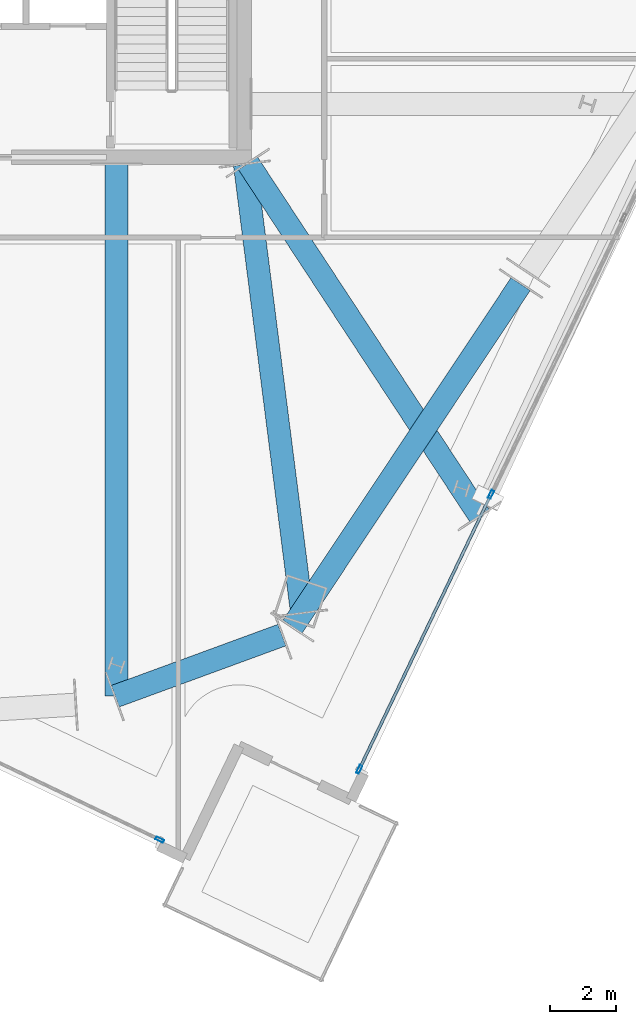
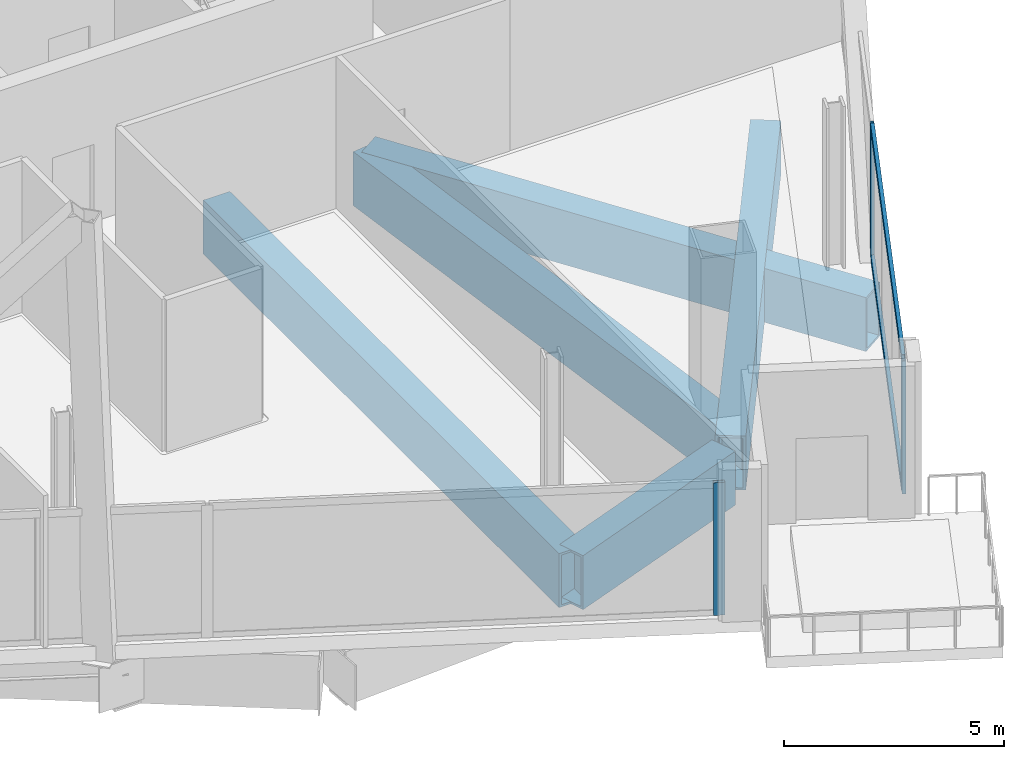
# One storey, part 6 of 24: 5 beams, 5 members, 2 elements without a shape of their own.
"""IFC4 building model written with IfcOpenShell, lengths in metres."""

from ifc_helpers import new_model, si_unit, direction, frame, origin, origin_2d, place, context, subcontext, project, spatial, hollow_rectangle, extrude, material, material_profile, profile_set, type_object, element, aggregate, save


model = new_model("IFC4")

# Units and contexts
model_context = context("Model", 3, precision=1e-05, world=origin(), true_north=direction((0.0, 1.0)))
body_context = subcontext(model_context, "Body", "Model", "MODEL_VIEW")
ifc_project = project(units=[si_unit("LENGTHUNIT", "METRE"), si_unit("AREAUNIT", "SQUARE_METRE"), si_unit("VOLUMEUNIT", "CUBIC_METRE"), si_unit("PLANEANGLEUNIT", "RADIAN"), si_unit("MASSUNIT", "GRAM", prefix="KILO")], contexts=[model_context])

# Site, building, storey
site_placement = place(None, origin())
site = spatial("IfcSite", under=ifc_project, at=site_placement, CompositionType="ELEMENT")
building_placement = place(site_placement, origin())
building = spatial("IfcBuilding", under=site, at=building_placement, Name="Haldenkirk Collegiate Tower", CompositionType="ELEMENT")
storey_placement = place(building_placement, frame((0.0, 0.0, 244.199951171875)))
storey = spatial("IfcBuildingStorey", under=building, at=storey_placement, Name="L61", CompositionType="ELEMENT", Elevation=244.199951171875)

# Beams
ifc_material_1 = material(Name="Steel ASTM A572 Grade 50", Category="steel")
ifc_material_profile_1 = material_profile(ifc_material_1, hollow_rectangle(XDim=0.699951171875, YDim=1.5, WallThickness=0.06005859375, at=origin_2d()), Name="BOX1500X700X60")
ifc_profile_set_1 = profile_set([ifc_material_profile_1], Name="Steel ASTM A572 Grade 50")
beam_type = type_object("IfcBeamType", Name="BM-TRANSFER-BOX1500X700X60", PredefinedType="BEAM", material=ifc_profile_set_1)
beam_1_placement = place(storey_placement, frame((41.07421875, 1.5498046875, -1.14990234375), z_axis=(0.938836975249, 0.344361922843, 0.0), x_axis=(-0.344361922843, 0.938836975249, 0.0)))
element("IfcBeam", 1, at=beam_1_placement, inside=storey, type_object=beam_type, Name="L61 sky-lobby perimeter transfer girder 01", PredefinedType="BEAM", context=body_context, shape_type="SweptSolid", body=[
    extrude(hollow_rectangle(XDim=0.699951171875, YDim=1.5, WallThickness=0.06005859375, at=origin_2d()), origin(), (0.0, 0.0, 1.0), 5.41650390625),
])
beam_2_placement = place(storey_placement, frame((46.4833984375, 3.67041015625, -1.14990234375), z_axis=(0.554112521622, 0.832441777773, 0.0), x_axis=(-0.832441777773, 0.554112521622, 0.0)))
element("IfcBeam", 2, at=beam_2_placement, inside=storey, type_object=beam_type, Name="L61 sky-lobby perimeter transfer girder 02", PredefinedType="BEAM", context=body_context, shape_type="SweptSolid", body=[
    extrude(hollow_rectangle(XDim=0.699951171875, YDim=1.5, WallThickness=0.06005859375, at=origin_2d()), origin(), (0.0, 0.0, 1.0), 12.561767578125),
])
beam_3_placement = place(storey_placement, frame((46.771484375, 4.103515625, -1.14990234375), z_axis=(-0.126457169798, 0.991972068259, 0.0), x_axis=(-0.991972068259, -0.126457169798, 0.0)))
element("IfcBeam", 3, at=beam_3_placement, inside=storey, type_object=beam_type, Name="L61 sky-lobby radial transfer girder 01", PredefinedType="BEAM", context=body_context, shape_type="SweptSolid", body=[
    extrude(hollow_rectangle(XDim=0.699951171875, YDim=1.5, WallThickness=0.06005859375, at=origin_2d()), origin(), (0.0, 0.0, 1.0), 13.77880859375),
])
beam_4_placement = place(storey_placement, frame((52.18603515625, 7.06201171875, -1.14990234375), z_axis=(-0.549083158408, 0.835767722009, 0.0), x_axis=(-0.835767722009, -0.549083158408, 0.0)))
element("IfcBeam", 4, at=beam_4_placement, inside=storey, type_object=beam_type, Name="L61 sky-lobby radial transfer girder 05", PredefinedType="BEAM", context=body_context, shape_type="SweptSolid", body=[
    extrude(hollow_rectangle(XDim=0.699951171875, YDim=1.5, WallThickness=0.06005859375, at=origin_2d()), origin(), (0.0, 0.0, 1.0), 12.857421875),
])
beam_5_placement = place(storey_placement, frame((41.111083984375, 1.563232421875, -1.14990234375), z_axis=(0.0, 1.0, 0.0), x_axis=(-1.0, 0.0, 0.0)))
element("IfcBeam", 5, at=beam_5_placement, inside=storey, type_object=beam_type, Name="L61 sky-lobby radial transfer girder 16", PredefinedType="BEAM", context=body_context, shape_type="SweptSolid", body=[
    extrude(hollow_rectangle(XDim=0.699951171875, YDim=1.5, WallThickness=0.06005859375, at=origin_2d()), origin(), (0.0, 0.0, 1.0), 16.206787109375),
])

# Curtain wall, members
ifc_material_2 = material(Name="Anodised architectural bronze aluminium", Category="aluminium")
curtain_wall_type = type_object("IfcCurtainWallType", Name="CW-SYS4-SKYGARDEN", PredefinedType="USERDEFINED", material=ifc_material_2)
curtain_wall_1_placement = place(storey_placement, origin())
curtain_wall_1 = element("IfcCurtainWall", 6, at=curtain_wall_1_placement, inside=storey, type_object=curtain_wall_type, Name="L61 Sky-garden tall bronze curtain wall", ObjectType="UNITISED CURTAIN WALL", PredefinedType="USERDEFINED")
ifc_material_profile_2 = material_profile(ifc_material_2, hollow_rectangle(XDim=0.090087890625, YDim=0.260009765625, WallThickness=0.0048828125, at=origin_2d()), Name="CW-MUL-04")
ifc_profile_set_2 = profile_set([ifc_material_profile_2], Name="Anodised architectural bronze aluminium")
member_type_1 = type_object("IfcMemberType", Name="CW-MUL-04", PredefinedType="MULLION", material=ifc_profile_set_2)
member_1_placement = place(storey_placement, frame((52.539794921875, 7.707763671875, 0.0), z_axis=(0.0, 0.0, 1.0), x_axis=(0.901833958331, -0.43208276013, 0.0)))
member_1 = element("IfcMember", 7, at=member_1_placement, type_object=member_type_1, Name="CW-04 mullion 4", PredefinedType="MULLION", context=body_context, shape_type="SweptSolid", body=[
    extrude(hollow_rectangle(XDim=0.090087890625, YDim=0.260009765625, WallThickness=0.0048828125, at=origin_2d()), origin(), (0.0, 0.0, 1.0), 3.68798828125),
])
member_2_placement = place(storey_placement, frame((48.519287109375, -0.683837890625, 0.0), z_axis=(0.0, 0.0, 1.0), x_axis=(0.901833958331, -0.43208276013, 0.0)))
member_2 = element("IfcMember", 8, at=member_2_placement, type_object=member_type_1, Name="CW-04 mullion 5", PredefinedType="MULLION", context=body_context, shape_type="SweptSolid", body=[
    extrude(hollow_rectangle(XDim=0.090087890625, YDim=0.260009765625, WallThickness=0.0048828125, at=origin_2d()), origin(), (0.0, 0.0, 1.0), 3.68798828125),
])

# Curtain wall, member
curtain_wall_2_placement = place(storey_placement, origin())
curtain_wall_2 = element("IfcCurtainWall", 9, at=curtain_wall_2_placement, inside=storey, type_object=curtain_wall_type, Name="L61 Sky-garden tall bronze curtain wall", ObjectType="UNITISED CURTAIN WALL", PredefinedType="USERDEFINED")
member_3_placement = place(storey_placement, frame((42.429931640625, -2.828369140625, 0.0), z_axis=(0.0, 0.0, 1.0), x_axis=(-0.432081961673, -0.901834340884, 0.0)))
member_3 = element("IfcMember", 10, at=member_3_placement, type_object=member_type_1, Name="CW-04 mullion 1", PredefinedType="MULLION", context=body_context, shape_type="SweptSolid", body=[
    extrude(hollow_rectangle(XDim=0.090087890625, YDim=0.260009765625, WallThickness=0.0048828125, at=origin_2d()), origin(), (0.0, 0.0, 1.0), 3.68798828125),
])
aggregate(curtain_wall_2, [member_3])

# Member
ifc_material_profile_3 = material_profile(ifc_material_2, hollow_rectangle(XDim=0.090087890625, YDim=0.2099609375, WallThickness=0.0048828125, at=origin_2d()), Name="CW-TRN-04")
ifc_profile_set_3 = profile_set([ifc_material_profile_3], Name="Anodised architectural bronze aluminium")
member_type_2 = type_object("IfcMemberType", Name="CW-TRN-04", PredefinedType="USERDEFINED", material=ifc_profile_set_3)
member_4_placement = place(storey_placement, frame((52.5205078125, 7.6669921875, 0.045166015625), z_axis=(-0.432091002178, -0.90183000939, 0.0), x_axis=(0.90183000939, -0.432091002178, 0.0)))
member_4 = element("IfcMember", 11, at=member_4_placement, type_object=member_type_2, Name="CW-04 transom 4.1", ObjectType="TRANSOM", PredefinedType="USERDEFINED", context=body_context, shape_type="SweptSolid", body=[
    extrude(hollow_rectangle(XDim=0.090087890625, YDim=0.2099609375, WallThickness=0.0048828125, at=origin_2d()), origin(), (0.0, 0.0, 1.0), 9.21484375),
])

member_5_placement = place(storey_placement, frame((52.5205078125, 7.6669921875, 3.64306640625), z_axis=(-0.432091002178, -0.90183000939, 0.0), x_axis=(0.90183000939, -0.432091002178, 0.0)))
member_5 = element("IfcMember", 12, at=member_5_placement, type_object=member_type_2, Name="CW-04 transom 4.2", ObjectType="TRANSOM", PredefinedType="USERDEFINED", context=body_context, shape_type="SweptSolid", body=[
    extrude(hollow_rectangle(XDim=0.090087890625, YDim=0.2099609375, WallThickness=0.0048828125, at=origin_2d()), origin(), (0.0, 0.0, 1.0), 9.21484375),
])

aggregate(curtain_wall_1, [member_1, member_2, member_4, member_5])

save(model, "model.ifc")
